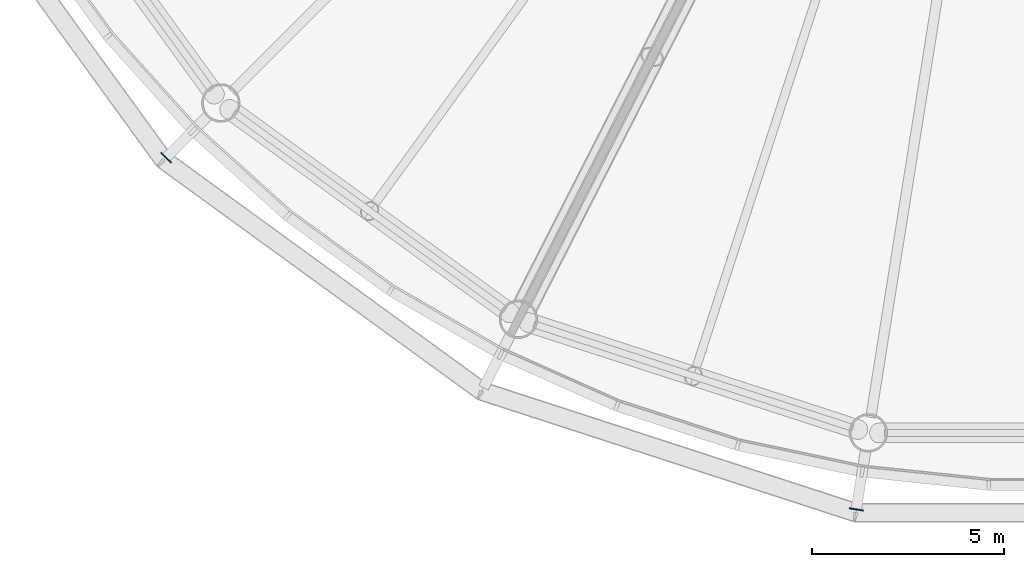
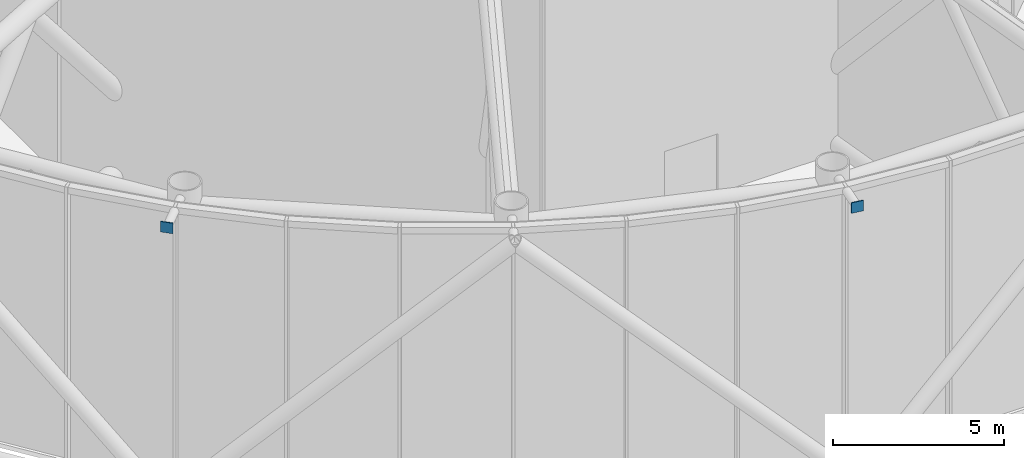
# One storey, part 12 of 23: 2 discrete accessories.
"""IFC4 building model written with IfcOpenShell, lengths in metres."""

import ifcopenshell
import ifcopenshell.guid

model = None  # the IFC model being written
_history = None  # IfcOwnerHistory: only IFC2X3 demands one
_inside = {}  # id of a spatial element -> (the spatial element, [elements in it])
_under = {}  # id of a project, library or spatial element -> (it, [spatial elements below it])
_declared = {}  # id of a project -> (the project, [libraries it declares])
_typed = {}  # id of a type object -> (the type object, [elements of that type])
_made_of = {}  # id of a material, layer set ... -> (it, [elements and type objects made of it])


def new_model(schema):
    """Start an empty IFC model of exactly this schema.

    Asked for "IFC4X3", IfcOpenShell would pick the latest addendum, in which some entities
    have other attributes; the version numbers below select the first issue.
    IFC2X3 requires an IfcOwnerHistory on every rooted entity: one is made here for all.
    """
    global model, _history
    if schema == "IFC4X3":
        model = ifcopenshell.file(schema_version=(4, 3, 0, 0))
    else:
        model = ifcopenshell.file(schema=schema)
    _inside.clear()
    _under.clear()
    _declared.clear()
    _typed.clear()
    _made_of.clear()
    _history = None
    if model.schema == "IFC2X3":
        org = make("IfcOrganization", Name="unknown")
        user = make(
            "IfcPersonAndOrganization",
            ThePerson=make("IfcPerson", FamilyName="unknown"),
            TheOrganization=org,
        )
        app = make(
            "IfcApplication",
            ApplicationDeveloper=org,
            Version="unknown",
            ApplicationFullName="unknown",
            ApplicationIdentifier="unknown",
        )
        _history = make(
            "IfcOwnerHistory",
            OwningUser=user,
            OwningApplication=app,
            ChangeAction="ADDED",
            CreationDate=0,
        )
    return model


def make(cls, **values):
    """One entity of the class cls with the attributes given. An attribute that is None is left unset."""
    return model.create_entity(
        cls, **{name: value for name, value in values.items() if value is not None}
    )


def rooted(cls, **values):
    """An entity with a GlobalId (a new one), such as an element, a storey or a relation."""
    return make(cls, GlobalId=ifcopenshell.guid.new(), OwnerHistory=_history, **values)


def si_unit(unit_type, name, prefix=None):
    """IfcSIUnit, for example si_unit("LENGTHUNIT", "METRE", prefix="MILLI")."""
    return make("IfcSIUnit", UnitType=unit_type, Prefix=prefix, Name=name)


def assignment(units):
    """IfcUnitAssignment: the units of a project."""
    return None if units is None else make("IfcUnitAssignment", Units=units)


def point(xyz):
    """IfcCartesianPoint."""
    return None if xyz is None else make("IfcCartesianPoint", Coordinates=xyz)


def direction(xyz):
    """IfcDirection."""
    return None if xyz is None else make("IfcDirection", DirectionRatios=xyz)


def frame(location, z_axis=None, x_axis=None):
    """IfcAxis2Placement3D, a coordinate frame: its origin and axes. An axis left out is left unset."""
    return make(
        "IfcAxis2Placement3D",
        Location=point(location),
        Axis=direction(z_axis),
        RefDirection=direction(x_axis),
    )


def frame_2d(location, x_axis=None):
    """IfcAxis2Placement2D, a coordinate frame in the plane: its origin and x axis."""
    return make(
        "IfcAxis2Placement2D", Location=point(location), RefDirection=direction(x_axis)
    )


def origin():
    """The frame at (0, 0, 0) with its axes left unset."""
    return frame((0.0, 0.0, 0.0))


def origin_2d():
    """The frame at (0, 0) in the plane with its x axis left unset."""
    return frame_2d((0.0, 0.0))


def place(relative_to, where):
    """IfcLocalPlacement: puts the frame where relative to a parent placement (None: the world)."""
    return make(
        "IfcLocalPlacement", PlacementRelTo=relative_to, RelativePlacement=where
    )


def context(
    kind, dimensions, precision=None, world=None, true_north=None, identifier=None
):
    """IfcGeometricRepresentationContext, for example the 3D "Model" context."""
    return make(
        "IfcGeometricRepresentationContext",
        ContextIdentifier=identifier,
        ContextType=kind,
        CoordinateSpaceDimension=dimensions,
        Precision=precision,
        WorldCoordinateSystem=world,
        TrueNorth=true_north,
    )


def subcontext(parent, identifier, kind, view, scale=None):
    """IfcGeometricRepresentationSubContext, for example "Body" below "Model"."""
    return make(
        "IfcGeometricRepresentationSubContext",
        ContextIdentifier=identifier,
        ContextType=kind,
        ParentContext=parent,
        TargetScale=scale,
        TargetView=view,
    )


def project(units=None, contexts=None):
    """IfcProject with its units and contexts."""
    return rooted(
        "IfcProject",
        Name="project",
        RepresentationContexts=contexts,
        UnitsInContext=assignment(units),
    )


def spatial(cls, under=None, at=None, **own):
    """A site, building, storey or space (cls), placed at a placement, below another one or the project."""
    s = rooted(cls, ObjectPlacement=at, **own)
    if under is not None:
        _under.setdefault(under.id(), (under, []))[1].append(s)
    return s


def profile(cls, at=None, kind="AREA", **sizes):
    """A parametric profile (cls). Its sizes go by their IFC names, for example OverallWidth=200.0."""
    return make(cls, ProfileType=kind, Position=at, **sizes)


def rectangle(**sizes):
    """IfcRectangleProfileDef."""
    return profile("IfcRectangleProfileDef", **sizes)


def extrude(swept, where, along, depth):
    """IfcExtrudedAreaSolid: the profile swept, set in the frame where, extruded along a direction by depth."""
    return make(
        "IfcExtrudedAreaSolid",
        SweptArea=swept,
        Position=where,
        ExtrudedDirection=direction(along),
        Depth=depth,
    )


def shape(context_of_items, identifier, shape_type, items):
    """IfcShapeRepresentation: the items that make up one representation, for example the "Body"."""
    return make(
        "IfcShapeRepresentation",
        ContextOfItems=context_of_items,
        RepresentationIdentifier=identifier,
        RepresentationType=shape_type,
        Items=items,
    )


def material(Name=None, Category=None):
    """IfcMaterial."""
    return make("IfcMaterial", Name=Name, Category=Category)


def made_of(thing, what):
    """Note that an element or type object is made of a material, layer set ...; save() writes the relation."""
    if what is not None:
        _made_of.setdefault(what.id(), (what, []))[1].append(thing)
    return thing


def element(
    cls,
    number,
    at=None,
    inside=None,
    cuts=None,
    type_object=None,
    material=None,
    context=None,
    identifier="Body",
    shape_type=None,
    held_by="IfcProductDefinitionShape",
    body=None,
    shapes=None,
    **own,
):
    """One element of the class cls, such as IfcWall. Its Tag is "e" and its number.

    at: its placement. inside: the storey or other place that contains it. cuts: it is an
    opening in that element (IfcRelVoidsElement). A single representation is given by context,
    identifier, shape_type and body (its items); several are given by shapes. held_by: the class
    of the entity that holds the representations. save() writes the other relations.
    """
    e = rooted(cls, Tag="e%d" % number, ObjectPlacement=at, **own)
    if body is not None:
        shapes = [shape(context, identifier, shape_type, body)]
    if shapes is not None:
        e.Representation = make(held_by, Representations=shapes)
    if inside is not None:
        _inside.setdefault(inside.id(), (inside, []))[1].append(e)
    if cuts is not None:
        rooted(
            "IfcRelVoidsElement", RelatingBuildingElement=cuts, RelatedOpeningElement=e
        )
    if type_object is not None:
        _typed.setdefault(type_object.id(), (type_object, []))[1].append(e)
    return made_of(e, material)


def aggregate(whole, parts):
    """IfcRelAggregates: a whole, such as a stair, and the parts it consists of."""
    return rooted("IfcRelAggregates", RelatingObject=whole, RelatedObjects=parts)


def save(model, path):
    """Write the relations noted so far, then the file.

    IfcRelAggregates (storeys below a building ...), IfcRelContainedInSpatialStructure (elements
    in a storey), IfcRelDefinesByType, IfcRelAssociatesMaterial and IfcRelDeclares: one each for
    every whole, place, type object, material and project.
    """
    for whole, parts in _under.values():
        aggregate(whole, parts)
    for where, things in _inside.values():
        rooted(
            "IfcRelContainedInSpatialStructure",
            RelatedElements=things,
            RelatingStructure=where,
        )
    for kind, things in _typed.values():
        rooted("IfcRelDefinesByType", RelatedObjects=things, RelatingType=kind)
    for what, things in _made_of.values():
        rooted("IfcRelAssociatesMaterial", RelatedObjects=things, RelatingMaterial=what)
    for by, libraries in _declared.values():
        rooted("IfcRelDeclares", RelatingContext=by, RelatedDefinitions=libraries)
    model.write(path)


model = new_model("IFC4")

# Units and contexts
model_context = context("Model", 3, precision=1e-05, world=origin(), true_north=direction((0.0, 1.0)))
body_context = subcontext(model_context, "Body", "Model", "MODEL_VIEW")
ifc_project = project(units=[si_unit("LENGTHUNIT", "METRE"), si_unit("AREAUNIT", "SQUARE_METRE"), si_unit("VOLUMEUNIT", "CUBIC_METRE"), si_unit("PLANEANGLEUNIT", "RADIAN"), si_unit("MASSUNIT", "GRAM", prefix="KILO")], contexts=[model_context])

# Site, building, storey
site_placement = place(None, origin())
site = spatial("IfcSite", under=ifc_project, at=site_placement, CompositionType="ELEMENT")
building_placement = place(site_placement, origin())
building = spatial("IfcBuilding", under=site, at=building_placement, Name="Entoto Ring Tower", CompositionType="ELEMENT")
storey_placement = place(building_placement, frame((0.0, 0.0, 392.0)))
storey = spatial("IfcBuildingStorey", under=building, at=storey_placement, Name="L91", CompositionType="ELEMENT", Elevation=392.0)

# Discrete accessories
ifc_material = material(Name="Steel S355", Category="steel")
for number, where, z_axis, x_axis, name in (
    (1, (66.937744140625, 56.937744140625, 9.52685546875), (0.0, 0.0, 1.0), (-0.707106781187, -0.707106781187, 0.0), "Node strut end plate DS2 ring 29 12"),
    (2, (84.89794921875, 47.78662109375, 9.52685546875), (0.0, 0.0, 1.0), (-0.15643446504, -0.987688340595, 0.0), "Node strut end plate DS2 ring 29 14"),
):
    element("IfcDiscreteAccessory", number, at=place(storey_placement, frame(where, z_axis=z_axis, x_axis=x_axis)), inside=storey, material=ifc_material, Name=name, PredefinedType="BRACKET", context=body_context, shape_type="SweptSolid", body=[
        extrude(rectangle(XDim=0.030029296875, YDim=0.373046875, at=origin_2d()), origin(), (0.0, 0.0, 1.0), 0.373046875),
    ])

save(model, "model.ifc")
